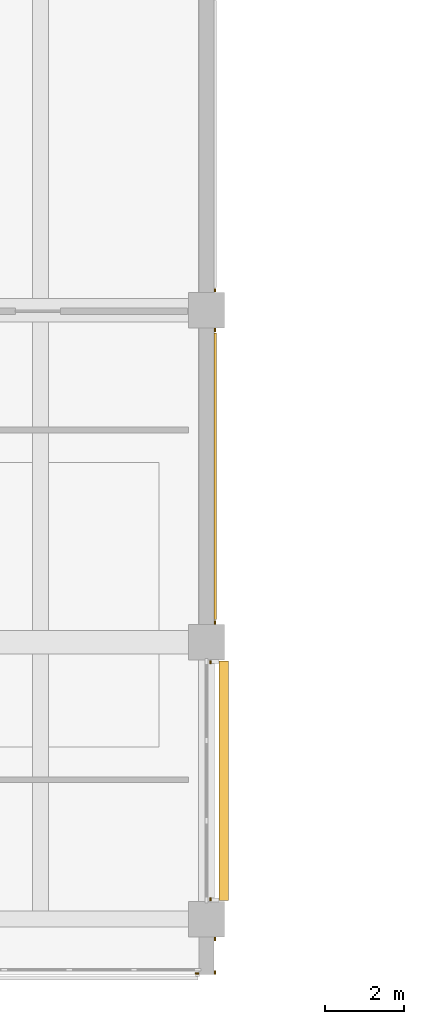
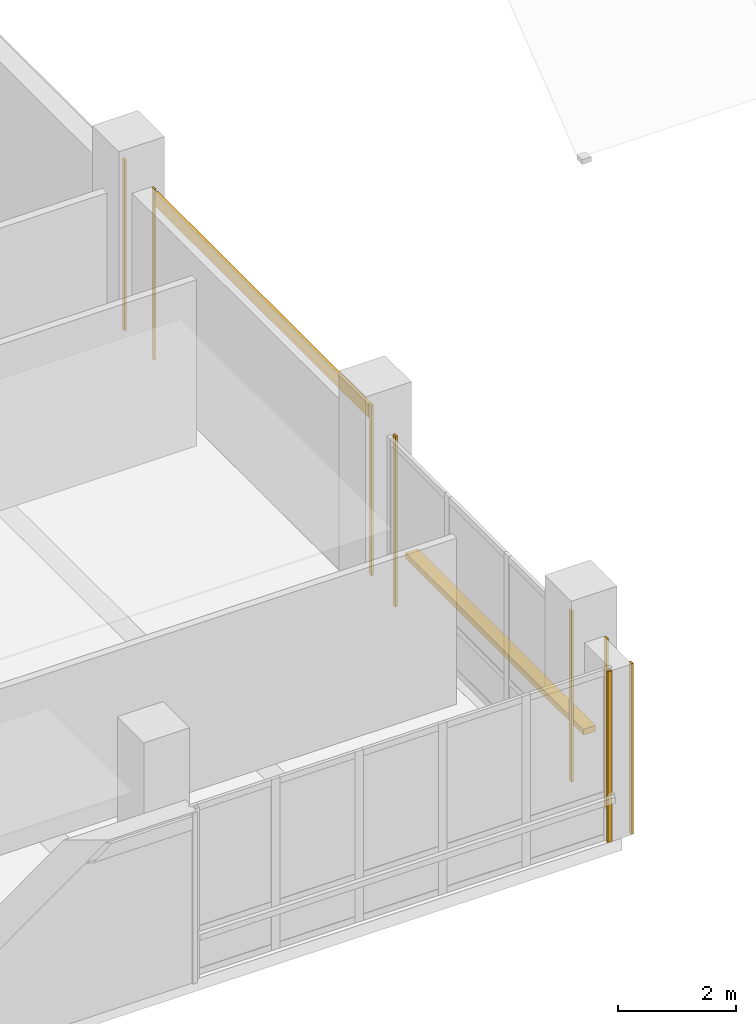
# One storey, part 54 of 59: 9 coverings, 1 shading device.
"""IFC4 building model written with IfcOpenShell, lengths in metres."""

from ifc_helpers import new_model, si_unit, direction, frame, origin, origin_2d, place, context, subcontext, project, spatial, rectangle, extrude, material, layer, layer_set, type_object, element, save


model = new_model("IFC4")

# Units and contexts
model_context = context("Model", 3, precision=1e-05, world=origin(), true_north=direction((0.0, 1.0)))
body_context = subcontext(model_context, "Body", "Model", "MODEL_VIEW")
ifc_project = project(units=[si_unit("LENGTHUNIT", "METRE"), si_unit("AREAUNIT", "SQUARE_METRE"), si_unit("VOLUMEUNIT", "CUBIC_METRE"), si_unit("PLANEANGLEUNIT", "RADIAN"), si_unit("MASSUNIT", "GRAM", prefix="KILO")], contexts=[model_context])

# Site, building, storey
site_placement = place(None, origin())
site = spatial("IfcSite", under=ifc_project, at=site_placement, CompositionType="ELEMENT")
building_placement = place(site_placement, origin())
building = spatial("IfcBuilding", under=site, at=building_placement, Name="Telukmera Botanical Conservatory", CompositionType="ELEMENT")
storey_placement = place(building_placement, frame((0.0, 0.0, 15.0)))
storey = spatial("IfcBuildingStorey", under=building, at=storey_placement, Name="L03", CompositionType="ELEMENT", Elevation=15.0)

# Coverings
ifc_material_1 = material(Name="Granite-faced precast concrete C40/50", Category="masonry")
ifc_layer_1 = layer(ifc_material_1, 0.0400390625)
ifc_layer_set_1 = layer_set([ifc_layer_1], Name="Granite-faced precast concrete C40/50")
covering_type_1 = type_object("IfcCoveringType", Name="Granite Precast Column Pier Reveal Casing", PredefinedType="CLADDING", material=ifc_layer_set_1)
for number, where, z_axis, x_axis, name in (
    (1, (109.409912109375, 9.25, 0.0), (0.0, 0.0, 1.0), (0.0, 1.0, 0.0), "Granite Pier Reveal V4:L03:SEC L"),
    (2, (109.409912109375, 10.097900390625, 0.0), (0.0, 0.0, 1.0), (0.0, 1.0, 0.0), "Granite Pier Reveal V4:L03:SEC R"),
    (3, (108.9580078125, 9.219970703125, 0.0), (0.0, 0.0, 1.0), (1.0, 0.0, 0.0), "Granite Pier Reveal V4:L03:S7 R"),
    (4, (109.300048828125, 11.10205078125, 0.0), (0.0, 0.0, 1.0), (0.0, 1.0, 0.0), "Granite Pier Reveal V4:L03:E1 L"),
    (5, (109.300048828125, 17.097900390625, 0.0), (0.0, 0.0, 1.0), (0.0, 1.0, 0.0), "Granite Pier Reveal V4:L03:E1 R"),
    (6, (109.409912109375, 18.10205078125, 0.0), (0.0, 0.0, 1.0), (0.0, 1.0, 0.0), "Granite Pier Reveal V4:L03:E2 L"),
    (7, (109.409912109375, 25.498046875, 0.0), (0.0, 0.0, 1.0), (0.0, 1.0, 0.0), "Granite Pier Reveal V4:L03:E2 R"),
    (8, (109.409912109375, 26.501953125, 0.0), (0.0, 0.0, 1.0), (0.0, 1.0, 0.0), "Granite Pier Reveal V4:L03:E3 L"),
):
    element("IfcCovering", number, at=place(storey_placement, frame(where, z_axis=z_axis, x_axis=x_axis)), inside=storey, type_object=covering_type_1, Name=name, PredefinedType="CLADDING", context=body_context, shape_type="SweptSolid", body=[
        extrude(rectangle(XDim=0.080078125, YDim=0.0400390625, at=origin_2d()), origin(), (0.0, 0.0, 1.0), 3.550048828125),
    ])

# Shading device
ifc_material_2 = material(Name="Perforated terracotta-anodised aluminium 6063-T6", Category="masonry")
ifc_layer_2 = layer(ifc_material_2, 0.044921875)
ifc_layer_set_2 = layer_set([ifc_layer_2], Name="Perforated terracotta-anodised aluminium 6063-T6")
shading_device_type = type_object("IfcShadingDeviceType", Name="Perforated Terracotta Aluminium Monsoon Brise Soleil", PredefinedType="JALOUSIE", material=ifc_layer_set_2)
shading_device_placement = place(storey_placement, frame((109.639892578125, 14.10009765625, 0.889892578125), z_axis=(0.0, 0.0, 1.0), x_axis=(0.0, 1.0, 0.0)))
element("IfcShadingDevice", 9, at=shading_device_placement, inside=storey, type_object=shading_device_type, Name="Monsoon Shading BS01 V4:L03:E1", PredefinedType="JALOUSIE", context=body_context, shape_type="SweptSolid", body=[
    extrude(rectangle(XDim=6.055908203125, YDim=0.239990234375, at=origin_2d()), origin(), (0.0, 0.0, 1.0), 0.1201171875),
])

# Covering
ifc_material_3 = material(Name="Terracotta-faced precast concrete C40/50", Category="masonry")
ifc_layer_3 = layer(ifc_material_3, 0.06005859375)
ifc_layer_set_3 = layer_set([ifc_layer_3], Name="Terracotta-faced precast concrete C40/50")
covering_type_2 = type_object("IfcCoveringType", Name="Polychrome Terracotta Facade Band Cladding", PredefinedType="CLADDING", material=ifc_layer_set_3)
covering_placement = place(storey_placement, frame((109.419921875, 21.800048828125, 3.22998046875), z_axis=(0.0, 0.0, 1.0), x_axis=(0.0, 1.0, 0.0)))
element("IfcCovering", 10, at=covering_placement, inside=storey, type_object=covering_type_2, Name="Polychrome Terracotta Band V4:L03:E2", PredefinedType="CLADDING", context=body_context, shape_type="SweptSolid", body=[
    extrude(rectangle(XDim=7.256103515625, YDim=0.06005859375, at=origin_2d()), origin(), (0.0, 0.0, 1.0), 0.280029296875),
])

save(model, "model.ifc")
